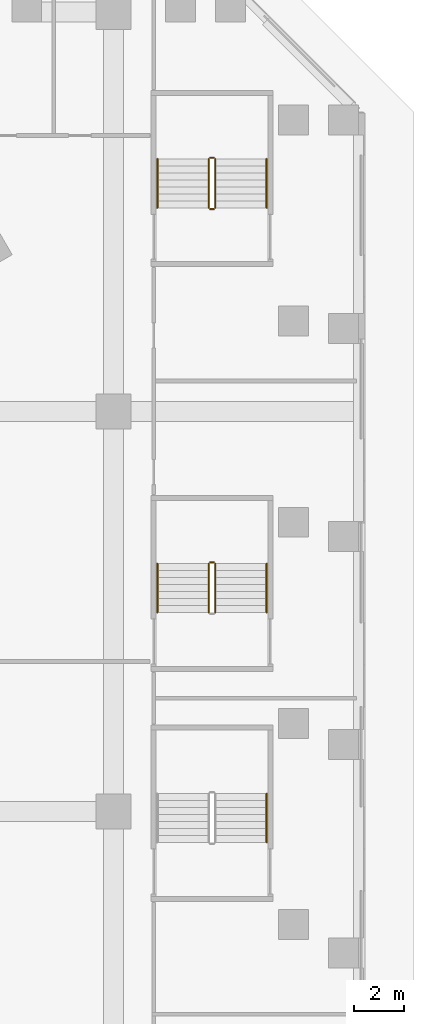
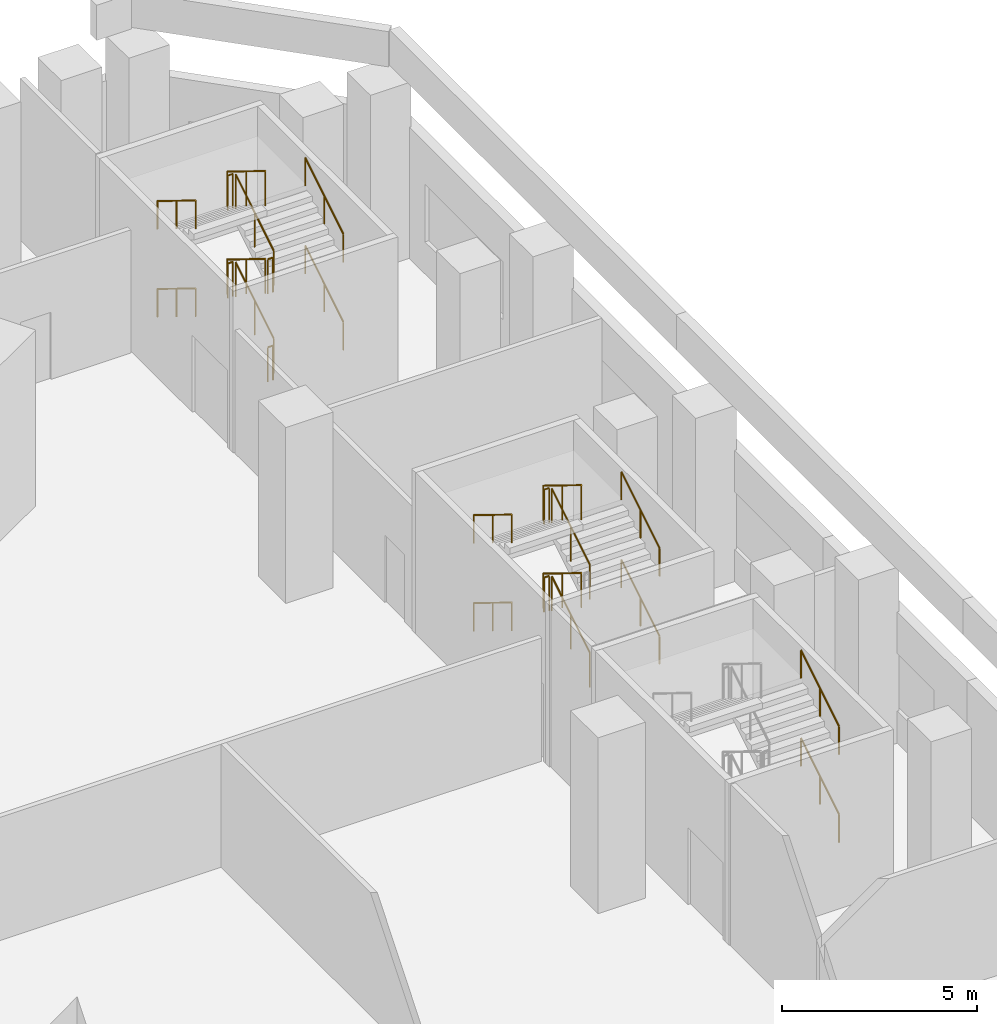
# One storey, part 22 of 22: 24 railings.
"""IFC4 building model written with IfcOpenShell, lengths in metres."""

import ifcopenshell
import ifcopenshell.guid

model = None  # the IFC model being written
_history = None  # IfcOwnerHistory: only IFC2X3 demands one
_inside = {}  # id of a spatial element -> (the spatial element, [elements in it])
_under = {}  # id of a project, library or spatial element -> (it, [spatial elements below it])
_declared = {}  # id of a project -> (the project, [libraries it declares])
_typed = {}  # id of a type object -> (the type object, [elements of that type])
_made_of = {}  # id of a material, layer set ... -> (it, [elements and type objects made of it])


def new_model(schema):
    """Start an empty IFC model of exactly this schema.

    Asked for "IFC4X3", IfcOpenShell would pick the latest addendum, in which some entities
    have other attributes; the version numbers below select the first issue.
    IFC2X3 requires an IfcOwnerHistory on every rooted entity: one is made here for all.
    """
    global model, _history
    if schema == "IFC4X3":
        model = ifcopenshell.file(schema_version=(4, 3, 0, 0))
    else:
        model = ifcopenshell.file(schema=schema)
    _inside.clear()
    _under.clear()
    _declared.clear()
    _typed.clear()
    _made_of.clear()
    _history = None
    if model.schema == "IFC2X3":
        org = make("IfcOrganization", Name="unknown")
        user = make(
            "IfcPersonAndOrganization",
            ThePerson=make("IfcPerson", FamilyName="unknown"),
            TheOrganization=org,
        )
        app = make(
            "IfcApplication",
            ApplicationDeveloper=org,
            Version="unknown",
            ApplicationFullName="unknown",
            ApplicationIdentifier="unknown",
        )
        _history = make(
            "IfcOwnerHistory",
            OwningUser=user,
            OwningApplication=app,
            ChangeAction="ADDED",
            CreationDate=0,
        )
    return model


def make(cls, **values):
    """One entity of the class cls with the attributes given. An attribute that is None is left unset."""
    return model.create_entity(
        cls, **{name: value for name, value in values.items() if value is not None}
    )


def rooted(cls, **values):
    """An entity with a GlobalId (a new one), such as an element, a storey or a relation."""
    return make(cls, GlobalId=ifcopenshell.guid.new(), OwnerHistory=_history, **values)


def si_unit(unit_type, name, prefix=None):
    """IfcSIUnit, for example si_unit("LENGTHUNIT", "METRE", prefix="MILLI")."""
    return make("IfcSIUnit", UnitType=unit_type, Prefix=prefix, Name=name)


def assignment(units):
    """IfcUnitAssignment: the units of a project."""
    return None if units is None else make("IfcUnitAssignment", Units=units)


def point(xyz):
    """IfcCartesianPoint."""
    return None if xyz is None else make("IfcCartesianPoint", Coordinates=xyz)


def direction(xyz):
    """IfcDirection."""
    return None if xyz is None else make("IfcDirection", DirectionRatios=xyz)


def frame(location, z_axis=None, x_axis=None):
    """IfcAxis2Placement3D, a coordinate frame: its origin and axes. An axis left out is left unset."""
    return make(
        "IfcAxis2Placement3D",
        Location=point(location),
        Axis=direction(z_axis),
        RefDirection=direction(x_axis),
    )


def frame_2d(location, x_axis=None):
    """IfcAxis2Placement2D, a coordinate frame in the plane: its origin and x axis."""
    return make(
        "IfcAxis2Placement2D", Location=point(location), RefDirection=direction(x_axis)
    )


def origin():
    """The frame at (0, 0, 0) with its axes left unset."""
    return frame((0.0, 0.0, 0.0))


def origin_2d():
    """The frame at (0, 0) in the plane with its x axis left unset."""
    return frame_2d((0.0, 0.0))


def place(relative_to, where):
    """IfcLocalPlacement: puts the frame where relative to a parent placement (None: the world)."""
    return make(
        "IfcLocalPlacement", PlacementRelTo=relative_to, RelativePlacement=where
    )


def context(
    kind, dimensions, precision=None, world=None, true_north=None, identifier=None
):
    """IfcGeometricRepresentationContext, for example the 3D "Model" context."""
    return make(
        "IfcGeometricRepresentationContext",
        ContextIdentifier=identifier,
        ContextType=kind,
        CoordinateSpaceDimension=dimensions,
        Precision=precision,
        WorldCoordinateSystem=world,
        TrueNorth=true_north,
    )


def subcontext(parent, identifier, kind, view, scale=None):
    """IfcGeometricRepresentationSubContext, for example "Body" below "Model"."""
    return make(
        "IfcGeometricRepresentationSubContext",
        ContextIdentifier=identifier,
        ContextType=kind,
        ParentContext=parent,
        TargetScale=scale,
        TargetView=view,
    )


def project(units=None, contexts=None):
    """IfcProject with its units and contexts."""
    return rooted(
        "IfcProject",
        Name="project",
        RepresentationContexts=contexts,
        UnitsInContext=assignment(units),
    )


def spatial(cls, under=None, at=None, **own):
    """A site, building, storey or space (cls), placed at a placement, below another one or the project."""
    s = rooted(cls, ObjectPlacement=at, **own)
    if under is not None:
        _under.setdefault(under.id(), (under, []))[1].append(s)
    return s


def profile(cls, at=None, kind="AREA", **sizes):
    """A parametric profile (cls). Its sizes go by their IFC names, for example OverallWidth=200.0."""
    return make(cls, ProfileType=kind, Position=at, **sizes)


def circle(**sizes):
    """IfcCircleProfileDef."""
    return profile("IfcCircleProfileDef", **sizes)


def extrude(swept, where, along, depth):
    """IfcExtrudedAreaSolid: the profile swept, set in the frame where, extruded along a direction by depth."""
    return make(
        "IfcExtrudedAreaSolid",
        SweptArea=swept,
        Position=where,
        ExtrudedDirection=direction(along),
        Depth=depth,
    )


def shape(context_of_items, identifier, shape_type, items):
    """IfcShapeRepresentation: the items that make up one representation, for example the "Body"."""
    return make(
        "IfcShapeRepresentation",
        ContextOfItems=context_of_items,
        RepresentationIdentifier=identifier,
        RepresentationType=shape_type,
        Items=items,
    )


def material(Name=None, Category=None):
    """IfcMaterial."""
    return make("IfcMaterial", Name=Name, Category=Category)


def made_of(thing, what):
    """Note that an element or type object is made of a material, layer set ...; save() writes the relation."""
    if what is not None:
        _made_of.setdefault(what.id(), (what, []))[1].append(thing)
    return thing


def type_object(cls, material=None, **own):
    """A type object (cls), such as IfcWallType, which elements share."""
    return made_of(rooted(cls, **own), material)


def element(
    cls,
    number,
    at=None,
    inside=None,
    cuts=None,
    type_object=None,
    material=None,
    context=None,
    identifier="Body",
    shape_type=None,
    held_by="IfcProductDefinitionShape",
    body=None,
    shapes=None,
    **own,
):
    """One element of the class cls, such as IfcWall. Its Tag is "e" and its number.

    at: its placement. inside: the storey or other place that contains it. cuts: it is an
    opening in that element (IfcRelVoidsElement). A single representation is given by context,
    identifier, shape_type and body (its items); several are given by shapes. held_by: the class
    of the entity that holds the representations. save() writes the other relations.
    """
    e = rooted(cls, Tag="e%d" % number, ObjectPlacement=at, **own)
    if body is not None:
        shapes = [shape(context, identifier, shape_type, body)]
    if shapes is not None:
        e.Representation = make(held_by, Representations=shapes)
    if inside is not None:
        _inside.setdefault(inside.id(), (inside, []))[1].append(e)
    if cuts is not None:
        rooted(
            "IfcRelVoidsElement", RelatingBuildingElement=cuts, RelatedOpeningElement=e
        )
    if type_object is not None:
        _typed.setdefault(type_object.id(), (type_object, []))[1].append(e)
    return made_of(e, material)


def aggregate(whole, parts):
    """IfcRelAggregates: a whole, such as a stair, and the parts it consists of."""
    return rooted("IfcRelAggregates", RelatingObject=whole, RelatedObjects=parts)


def save(model, path):
    """Write the relations noted so far, then the file.

    IfcRelAggregates (storeys below a building ...), IfcRelContainedInSpatialStructure (elements
    in a storey), IfcRelDefinesByType, IfcRelAssociatesMaterial and IfcRelDeclares: one each for
    every whole, place, type object, material and project.
    """
    for whole, parts in _under.values():
        aggregate(whole, parts)
    for where, things in _inside.values():
        rooted(
            "IfcRelContainedInSpatialStructure",
            RelatedElements=things,
            RelatingStructure=where,
        )
    for kind, things in _typed.values():
        rooted("IfcRelDefinesByType", RelatedObjects=things, RelatingType=kind)
    for what, things in _made_of.values():
        rooted("IfcRelAssociatesMaterial", RelatedObjects=things, RelatingMaterial=what)
    for by, libraries in _declared.values():
        rooted("IfcRelDeclares", RelatingContext=by, RelatedDefinitions=libraries)
    model.write(path)


model = new_model("IFC4")

# Units and contexts
model_context = context("Model", 3, precision=1e-05, world=origin(), true_north=direction((0.0, 1.0)))
body_context = subcontext(model_context, "Body", "Model", "MODEL_VIEW")
ifc_project = project(units=[si_unit("LENGTHUNIT", "METRE"), si_unit("AREAUNIT", "SQUARE_METRE"), si_unit("VOLUMEUNIT", "CUBIC_METRE"), si_unit("PLANEANGLEUNIT", "RADIAN"), si_unit("MASSUNIT", "GRAM", prefix="KILO")], contexts=[model_context])

# Site, building, storey
site_placement = place(None, origin())
site = spatial("IfcSite", under=ifc_project, at=site_placement, CompositionType="ELEMENT")
building_placement = place(site_placement, origin())
building = spatial("IfcBuilding", under=site, at=building_placement, Name="Calabash Gate Tower", CompositionType="ELEMENT")
storey_placement = place(building_placement, frame((0.0, 0.0, 34.5)))
storey = spatial("IfcBuildingStorey", under=building, at=storey_placement, Name="L04", CompositionType="ELEMENT", Elevation=34.5)

# Railings
ifc_material_1 = material(Name="Black powder-coated steel balusters", Category="steel")
railing_type_1 = type_object("IfcRailingType", Name="Stair guard RL1100", PredefinedType="GUARDRAIL", material=ifc_material_1)
railing_1_placement = place(storey_placement, frame((36.06005859375, -0.0400390625, 0.171875)))
element("IfcRailing", 1, at=railing_1_placement, inside=storey, type_object=railing_type_1, Name="L04 PS9 stair guard 1", PredefinedType="GUARDRAIL", context=body_context, shape_type="SweptSolid", body=[
    extrude(circle(Radius=0.02392578125, at=origin_2d()), frame((0.0, 0.0, 1.076171875), z_axis=(0.0, 0.851424364277, 0.524477408394), x_axis=(-1.0, 0.0, 0.0)), (0.0, 0.0, 1.0), 2.2939453125),
    extrude(circle(Radius=0.02099609375, at=origin_2d()), origin(), (0.0, 0.0, 1.0), 1.052001953125),
    extrude(circle(Radius=0.02099609375, at=origin_2d()), frame((0.0, 0.9765625, 0.6015625)), (0.0, 0.0, 1.0), 1.052001953125),
    extrude(circle(Radius=0.02099609375, at=origin_2d()), frame((0.0, 1.953125, 1.203125)), (0.0, 0.0, 1.0), 1.052001953125),
])
railing_2_placement = place(storey_placement, frame((36.010009765625, 1.962890625, 1.375)))
element("IfcRailing", 2, at=railing_2_placement, inside=storey, type_object=railing_type_1, Name="L04 PS9 stair guard 2", PredefinedType="GUARDRAIL", context=body_context, shape_type="SweptSolid", body=[
    extrude(circle(Radius=0.02392578125, at=origin_2d()), frame((0.0, 0.0, 1.076171875), z_axis=(-1.0, 0.0, 0.0), x_axis=(0.0, -1.0, 0.0)), (0.0, 0.0, 1.0), 0.14990234375),
    extrude(circle(Radius=0.02099609375, at=origin_2d()), origin(), (0.0, 0.0, 1.0), 1.052001953125),
    extrude(circle(Radius=0.02099609375, at=origin_2d()), frame((-0.14990234375, 0.0, 0.0)), (0.0, 0.0, 1.0), 1.052001953125),
])
railing_3_placement = place(storey_placement, frame((35.81005859375, 1.9130859375, 1.546875)))
element("IfcRailing", 3, at=railing_3_placement, inside=storey, type_object=railing_type_1, Name="L04 PS9 stair guard 3", PredefinedType="GUARDRAIL", context=body_context, shape_type="SweptSolid", body=[
    extrude(circle(Radius=0.02392578125, at=origin_2d()), frame((0.0, 0.0, 1.076171875), z_axis=(0.0, -0.851424364277, 0.524477408394), x_axis=(1.0, 0.0, 0.0)), (0.0, 0.0, 1.0), 2.2939453125),
    extrude(circle(Radius=0.02099609375, at=origin_2d()), origin(), (0.0, 0.0, 1.0), 1.052001953125),
    extrude(circle(Radius=0.02099609375, at=origin_2d()), frame((0.0, -0.9765625, 0.6015625)), (0.0, 0.0, 1.0), 1.052001953125),
    extrude(circle(Radius=0.02099609375, at=origin_2d()), frame((0.0, -1.953125, 1.203125)), (0.0, 0.0, 1.0), 1.052001953125),
])
railing_4_placement = place(storey_placement, frame((36.06005859375, -0.0400390625, 2.921875)))
element("IfcRailing", 4, at=railing_4_placement, inside=storey, type_object=railing_type_1, Name="L04 PS9 stair guard 5", PredefinedType="GUARDRAIL", context=body_context, shape_type="SweptSolid", body=[
    extrude(circle(Radius=0.02392578125, at=origin_2d()), frame((0.0, 0.0, 1.076171875), z_axis=(0.0, 0.851424364277, 0.524477408394), x_axis=(-1.0, 0.0, 0.0)), (0.0, 0.0, 1.0), 2.2939453125),
    extrude(circle(Radius=0.02099609375, at=origin_2d()), origin(), (0.0, 0.0, 1.0), 1.052001953125),
    extrude(circle(Radius=0.02099609375, at=origin_2d()), frame((0.0, 0.9765625, 0.6015625)), (0.0, 0.0, 1.0), 1.052001953125),
    extrude(circle(Radius=0.02099609375, at=origin_2d()), frame((0.0, 1.953125, 1.203125)), (0.0, 0.0, 1.0), 1.052001953125),
])
railing_5_placement = place(storey_placement, frame((36.010009765625, 1.962890625, 4.125)))
element("IfcRailing", 5, at=railing_5_placement, inside=storey, type_object=railing_type_1, Name="L04 PS9 stair guard 6", PredefinedType="GUARDRAIL", context=body_context, shape_type="SweptSolid", body=[
    extrude(circle(Radius=0.02392578125, at=origin_2d()), frame((0.0, 0.0, 1.076171875), z_axis=(-1.0, 0.0, 0.0), x_axis=(0.0, -1.0, 0.0)), (0.0, 0.0, 1.0), 0.14990234375),
    extrude(circle(Radius=0.02099609375, at=origin_2d()), origin(), (0.0, 0.0, 1.0), 1.052001953125),
    extrude(circle(Radius=0.02099609375, at=origin_2d()), frame((-0.14990234375, 0.0, 0.0)), (0.0, 0.0, 1.0), 1.052001953125),
])
railing_6_placement = place(storey_placement, frame((35.81005859375, 1.9130859375, 4.296875)))
element("IfcRailing", 6, at=railing_6_placement, inside=storey, type_object=railing_type_1, Name="L04 PS9 stair guard 7", PredefinedType="GUARDRAIL", context=body_context, shape_type="SweptSolid", body=[
    extrude(circle(Radius=0.02392578125, at=origin_2d()), frame((0.0, 0.0, 1.076171875), z_axis=(0.0, -0.851424364277, 0.524477408394), x_axis=(1.0, 0.0, 0.0)), (0.0, 0.0, 1.0), 2.2939453125),
    extrude(circle(Radius=0.02099609375, at=origin_2d()), origin(), (0.0, 0.0, 1.0), 1.052001953125),
    extrude(circle(Radius=0.02099609375, at=origin_2d()), frame((0.0, -0.9765625, 0.6015625)), (0.0, 0.0, 1.0), 1.052001953125),
    extrude(circle(Radius=0.02099609375, at=origin_2d()), frame((0.0, -1.953125, 1.203125)), (0.0, 0.0, 1.0), 1.052001953125),
])
railing_7_placement = place(storey_placement, frame((36.06005859375, 16.159912109375, 0.171875)))
element("IfcRailing", 7, at=railing_7_placement, inside=storey, type_object=railing_type_1, Name="L04 PS10 stair guard 1", PredefinedType="GUARDRAIL", context=body_context, shape_type="SweptSolid", body=[
    extrude(circle(Radius=0.02392578125, at=origin_2d()), frame((0.0, 0.0, 1.076171875), z_axis=(0.0, 0.851424364277, 0.524477408394), x_axis=(-1.0, 0.0, 0.0)), (0.0, 0.0, 1.0), 2.2939453125),
    extrude(circle(Radius=0.02099609375, at=origin_2d()), origin(), (0.0, 0.0, 1.0), 1.052001953125),
    extrude(circle(Radius=0.02099609375, at=origin_2d()), frame((0.0, 0.9765625, 0.6015625)), (0.0, 0.0, 1.0), 1.052001953125),
    extrude(circle(Radius=0.02099609375, at=origin_2d()), frame((0.0, 1.953125, 1.203125)), (0.0, 0.0, 1.0), 1.052001953125),
])
railing_8_placement = place(storey_placement, frame((36.010009765625, 18.1630859375, 1.375)))
element("IfcRailing", 8, at=railing_8_placement, inside=storey, type_object=railing_type_1, Name="L04 PS10 stair guard 2", PredefinedType="GUARDRAIL", context=body_context, shape_type="SweptSolid", body=[
    extrude(circle(Radius=0.02392578125, at=origin_2d()), frame((0.0, 0.0, 1.076171875), z_axis=(-1.0, 0.0, 0.0), x_axis=(0.0, -1.0, 0.0)), (0.0, 0.0, 1.0), 0.14990234375),
    extrude(circle(Radius=0.02099609375, at=origin_2d()), origin(), (0.0, 0.0, 1.0), 1.052001953125),
    extrude(circle(Radius=0.02099609375, at=origin_2d()), frame((-0.14990234375, 0.0, 0.0)), (0.0, 0.0, 1.0), 1.052001953125),
])
railing_9_placement = place(storey_placement, frame((35.81005859375, 18.113037109375, 1.546875)))
element("IfcRailing", 9, at=railing_9_placement, inside=storey, type_object=railing_type_1, Name="L04 PS10 stair guard 3", PredefinedType="GUARDRAIL", context=body_context, shape_type="SweptSolid", body=[
    extrude(circle(Radius=0.02392578125, at=origin_2d()), frame((0.0, 0.0, 1.076171875), z_axis=(0.0, -0.851424364277, 0.524477408394), x_axis=(1.0, 0.0, 0.0)), (0.0, 0.0, 1.0), 2.2939453125),
    extrude(circle(Radius=0.02099609375, at=origin_2d()), origin(), (0.0, 0.0, 1.0), 1.052001953125),
    extrude(circle(Radius=0.02099609375, at=origin_2d()), frame((0.0, -0.9765625, 0.6015625)), (0.0, 0.0, 1.0), 1.052001953125),
    extrude(circle(Radius=0.02099609375, at=origin_2d()), frame((0.0, -1.953125, 1.203125)), (0.0, 0.0, 1.0), 1.052001953125),
])
railing_10_placement = place(storey_placement, frame((36.010009765625, 16.110107421875, 2.75)))
element("IfcRailing", 10, at=railing_10_placement, inside=storey, type_object=railing_type_1, Name="L04 PS10 stair guard 4", PredefinedType="GUARDRAIL", context=body_context, shape_type="SweptSolid", body=[
    extrude(circle(Radius=0.02392578125, at=origin_2d()), frame((0.0, 0.0, 1.076171875), z_axis=(-1.0, 0.0, 0.0), x_axis=(0.0, -1.0, 0.0)), (0.0, 0.0, 1.0), 0.14990234375),
    extrude(circle(Radius=0.02099609375, at=origin_2d()), origin(), (0.0, 0.0, 1.0), 1.052001953125),
    extrude(circle(Radius=0.02099609375, at=origin_2d()), frame((-0.14990234375, 0.0, 0.0)), (0.0, 0.0, 1.0), 1.052001953125),
])
railing_11_placement = place(storey_placement, frame((36.06005859375, 16.159912109375, 2.921875)))
element("IfcRailing", 11, at=railing_11_placement, inside=storey, type_object=railing_type_1, Name="L04 PS10 stair guard 5", PredefinedType="GUARDRAIL", context=body_context, shape_type="SweptSolid", body=[
    extrude(circle(Radius=0.02392578125, at=origin_2d()), frame((0.0, 0.0, 1.076171875), z_axis=(0.0, 0.851424364277, 0.524477408394), x_axis=(-1.0, 0.0, 0.0)), (0.0, 0.0, 1.0), 2.2939453125),
    extrude(circle(Radius=0.02099609375, at=origin_2d()), origin(), (0.0, 0.0, 1.0), 1.052001953125),
    extrude(circle(Radius=0.02099609375, at=origin_2d()), frame((0.0, 0.9765625, 0.6015625)), (0.0, 0.0, 1.0), 1.052001953125),
    extrude(circle(Radius=0.02099609375, at=origin_2d()), frame((0.0, 1.953125, 1.203125)), (0.0, 0.0, 1.0), 1.052001953125),
])
railing_12_placement = place(storey_placement, frame((36.010009765625, 18.1630859375, 4.125)))
element("IfcRailing", 12, at=railing_12_placement, inside=storey, type_object=railing_type_1, Name="L04 PS10 stair guard 6", PredefinedType="GUARDRAIL", context=body_context, shape_type="SweptSolid", body=[
    extrude(circle(Radius=0.02392578125, at=origin_2d()), frame((0.0, 0.0, 1.076171875), z_axis=(-1.0, 0.0, 0.0), x_axis=(0.0, -1.0, 0.0)), (0.0, 0.0, 1.0), 0.14990234375),
    extrude(circle(Radius=0.02099609375, at=origin_2d()), origin(), (0.0, 0.0, 1.0), 1.052001953125),
    extrude(circle(Radius=0.02099609375, at=origin_2d()), frame((-0.14990234375, 0.0, 0.0)), (0.0, 0.0, 1.0), 1.052001953125),
])
railing_13_placement = place(storey_placement, frame((35.81005859375, 18.113037109375, 4.296875)))
element("IfcRailing", 13, at=railing_13_placement, inside=storey, type_object=railing_type_1, Name="L04 PS10 stair guard 7", PredefinedType="GUARDRAIL", context=body_context, shape_type="SweptSolid", body=[
    extrude(circle(Radius=0.02392578125, at=origin_2d()), frame((0.0, 0.0, 1.076171875), z_axis=(0.0, -0.851424364277, 0.524477408394), x_axis=(1.0, 0.0, 0.0)), (0.0, 0.0, 1.0), 2.2939453125),
    extrude(circle(Radius=0.02099609375, at=origin_2d()), origin(), (0.0, 0.0, 1.0), 1.052001953125),
    extrude(circle(Radius=0.02099609375, at=origin_2d()), frame((0.0, -0.9765625, 0.6015625)), (0.0, 0.0, 1.0), 1.052001953125),
    extrude(circle(Radius=0.02099609375, at=origin_2d()), frame((0.0, -1.953125, 1.203125)), (0.0, 0.0, 1.0), 1.052001953125),
])
railing_14_placement = place(storey_placement, frame((36.010009765625, 16.110107421875, 0.0)))
element("IfcRailing", 14, at=railing_14_placement, inside=storey, type_object=railing_type_1, Name="L04 PS10 stair guard 8", PredefinedType="GUARDRAIL", context=body_context, shape_type="SweptSolid", body=[
    extrude(circle(Radius=0.02392578125, at=origin_2d()), frame((0.0, 0.0, 1.076171875), z_axis=(-1.0, 0.0, 0.0), x_axis=(0.0, -1.0, 0.0)), (0.0, 0.0, 1.0), 0.14990234375),
    extrude(circle(Radius=0.02099609375, at=origin_2d()), origin(), (0.0, 0.0, 1.0), 1.052001953125),
    extrude(circle(Radius=0.02099609375, at=origin_2d()), frame((-0.14990234375, 0.0, 0.0)), (0.0, 0.0, 1.0), 1.052001953125),
])
ifc_material_2 = material(Name="Black powder-coated steel tube 48 mm", Category="steel")
railing_type_2 = type_object("IfcRailingType", Name="Stair handrail RL900", PredefinedType="HANDRAIL", material=ifc_material_2)
for number, where, name in (
    (15, (38.1201171875, -9.239990234375, 0.171875), "L04 PS8 stair handrail 1"),
    (16, (38.1201171875, -9.239990234375, 2.921875), "L04 PS8 stair handrail 3"),
):
    element("IfcRailing", number, at=place(storey_placement, frame(where)), inside=storey, type_object=railing_type_2, Name=name, PredefinedType="HANDRAIL", context=body_context, shape_type="SweptSolid", body=[
        extrude(circle(Radius=0.02392578125, at=origin_2d()), frame((0.0, 0.0, 0.8759765625), z_axis=(0.0, 0.851395084437, 0.52452493763), x_axis=(-1.0, 0.0, 0.0)), (0.0, 0.0, 1.0), 2.293701171875),
        extrude(circle(Radius=0.02099609375, at=origin_2d()), origin(), (0.0, 0.0, 1.0), 0.851806640625),
        extrude(circle(Radius=0.02099609375, at=origin_2d()), frame((0.0, 0.9765625, 0.6015625)), (0.0, 0.0, 1.0), 0.851806640625),
        extrude(circle(Radius=0.02099609375, at=origin_2d()), frame((0.0, 1.952880859375, 1.203125)), (0.0, 0.0, 1.0), 0.851806640625),
    ])
railing_15_placement = place(storey_placement, frame((38.1201171875, -0.0400390625, 0.171875)))
element("IfcRailing", 17, at=railing_15_placement, inside=storey, type_object=railing_type_2, Name="L04 PS9 stair handrail 1", PredefinedType="HANDRAIL", context=body_context, shape_type="SweptSolid", body=[
    extrude(circle(Radius=0.02392578125, at=origin_2d()), frame((0.0, 0.0, 0.8759765625), z_axis=(0.0, 0.851424364277, 0.524477408394), x_axis=(-1.0, 0.0, 0.0)), (0.0, 0.0, 1.0), 2.2939453125),
    extrude(circle(Radius=0.02099609375, at=origin_2d()), origin(), (0.0, 0.0, 1.0), 0.851806640625),
    extrude(circle(Radius=0.02099609375, at=origin_2d()), frame((0.0, 0.9765625, 0.6015625)), (0.0, 0.0, 1.0), 0.851806640625),
    extrude(circle(Radius=0.02099609375, at=origin_2d()), frame((0.0, 1.953125, 1.203125)), (0.0, 0.0, 1.0), 0.851806640625),
])
railing_16_placement = place(storey_placement, frame((33.75, 1.9130859375, 1.546875)))
element("IfcRailing", 18, at=railing_16_placement, inside=storey, type_object=railing_type_2, Name="L04 PS9 stair handrail 2", PredefinedType="HANDRAIL", context=body_context, shape_type="SweptSolid", body=[
    extrude(circle(Radius=0.02392578125, at=origin_2d()), frame((0.0, 0.0, 0.8759765625), z_axis=(0.0, -0.851424364277, 0.524477408394), x_axis=(1.0, 0.0, 0.0)), (0.0, 0.0, 1.0), 2.2939453125),
    extrude(circle(Radius=0.02099609375, at=origin_2d()), origin(), (0.0, 0.0, 1.0), 0.851806640625),
    extrude(circle(Radius=0.02099609375, at=origin_2d()), frame((0.0, -0.9765625, 0.6015625)), (0.0, 0.0, 1.0), 0.851806640625),
    extrude(circle(Radius=0.02099609375, at=origin_2d()), frame((0.0, -1.953125, 1.203125)), (0.0, 0.0, 1.0), 0.851806640625),
])
railing_17_placement = place(storey_placement, frame((38.1201171875, -0.0400390625, 2.921875)))
element("IfcRailing", 19, at=railing_17_placement, inside=storey, type_object=railing_type_2, Name="L04 PS9 stair handrail 3", PredefinedType="HANDRAIL", context=body_context, shape_type="SweptSolid", body=[
    extrude(circle(Radius=0.02392578125, at=origin_2d()), frame((0.0, 0.0, 0.8759765625), z_axis=(0.0, 0.851424364277, 0.524477408394), x_axis=(-1.0, 0.0, 0.0)), (0.0, 0.0, 1.0), 2.2939453125),
    extrude(circle(Radius=0.02099609375, at=origin_2d()), origin(), (0.0, 0.0, 1.0), 0.851806640625),
    extrude(circle(Radius=0.02099609375, at=origin_2d()), frame((0.0, 0.9765625, 0.6015625)), (0.0, 0.0, 1.0), 0.851806640625),
    extrude(circle(Radius=0.02099609375, at=origin_2d()), frame((0.0, 1.953125, 1.203125)), (0.0, 0.0, 1.0), 0.851806640625),
])
railing_18_placement = place(storey_placement, frame((33.75, 1.9130859375, 4.296875)))
element("IfcRailing", 20, at=railing_18_placement, inside=storey, type_object=railing_type_2, Name="L04 PS9 stair handrail 4", PredefinedType="HANDRAIL", context=body_context, shape_type="SweptSolid", body=[
    extrude(circle(Radius=0.02392578125, at=origin_2d()), frame((0.0, 0.0, 0.8759765625), z_axis=(0.0, -0.851424364277, 0.524477408394), x_axis=(1.0, 0.0, 0.0)), (0.0, 0.0, 1.0), 2.2939453125),
    extrude(circle(Radius=0.02099609375, at=origin_2d()), origin(), (0.0, 0.0, 1.0), 0.851806640625),
    extrude(circle(Radius=0.02099609375, at=origin_2d()), frame((0.0, -0.9765625, 0.6015625)), (0.0, 0.0, 1.0), 0.851806640625),
    extrude(circle(Radius=0.02099609375, at=origin_2d()), frame((0.0, -1.953125, 1.203125)), (0.0, 0.0, 1.0), 0.851806640625),
])
railing_19_placement = place(storey_placement, frame((38.1201171875, 16.159912109375, 0.171875)))
element("IfcRailing", 21, at=railing_19_placement, inside=storey, type_object=railing_type_2, Name="L04 PS10 stair handrail 1", PredefinedType="HANDRAIL", context=body_context, shape_type="SweptSolid", body=[
    extrude(circle(Radius=0.02392578125, at=origin_2d()), frame((0.0, 0.0, 0.8759765625), z_axis=(0.0, 0.851424364277, 0.524477408394), x_axis=(-1.0, 0.0, 0.0)), (0.0, 0.0, 1.0), 2.2939453125),
    extrude(circle(Radius=0.02099609375, at=origin_2d()), origin(), (0.0, 0.0, 1.0), 0.851806640625),
    extrude(circle(Radius=0.02099609375, at=origin_2d()), frame((0.0, 0.9765625, 0.6015625)), (0.0, 0.0, 1.0), 0.851806640625),
    extrude(circle(Radius=0.02099609375, at=origin_2d()), frame((0.0, 1.953125, 1.203125)), (0.0, 0.0, 1.0), 0.851806640625),
])
railing_20_placement = place(storey_placement, frame((33.75, 18.113037109375, 1.546875)))
element("IfcRailing", 22, at=railing_20_placement, inside=storey, type_object=railing_type_2, Name="L04 PS10 stair handrail 2", PredefinedType="HANDRAIL", context=body_context, shape_type="SweptSolid", body=[
    extrude(circle(Radius=0.02392578125, at=origin_2d()), frame((0.0, 0.0, 0.8759765625), z_axis=(0.0, -0.851424364277, 0.524477408394), x_axis=(1.0, 0.0, 0.0)), (0.0, 0.0, 1.0), 2.2939453125),
    extrude(circle(Radius=0.02099609375, at=origin_2d()), origin(), (0.0, 0.0, 1.0), 0.851806640625),
    extrude(circle(Radius=0.02099609375, at=origin_2d()), frame((0.0, -0.9765625, 0.6015625)), (0.0, 0.0, 1.0), 0.851806640625),
    extrude(circle(Radius=0.02099609375, at=origin_2d()), frame((0.0, -1.953125, 1.203125)), (0.0, 0.0, 1.0), 0.851806640625),
])
railing_21_placement = place(storey_placement, frame((38.1201171875, 16.159912109375, 2.921875)))
element("IfcRailing", 23, at=railing_21_placement, inside=storey, type_object=railing_type_2, Name="L04 PS10 stair handrail 3", PredefinedType="HANDRAIL", context=body_context, shape_type="SweptSolid", body=[
    extrude(circle(Radius=0.02392578125, at=origin_2d()), frame((0.0, 0.0, 0.8759765625), z_axis=(0.0, 0.851424364277, 0.524477408394), x_axis=(-1.0, 0.0, 0.0)), (0.0, 0.0, 1.0), 2.2939453125),
    extrude(circle(Radius=0.02099609375, at=origin_2d()), origin(), (0.0, 0.0, 1.0), 0.851806640625),
    extrude(circle(Radius=0.02099609375, at=origin_2d()), frame((0.0, 0.9765625, 0.6015625)), (0.0, 0.0, 1.0), 0.851806640625),
    extrude(circle(Radius=0.02099609375, at=origin_2d()), frame((0.0, 1.953125, 1.203125)), (0.0, 0.0, 1.0), 0.851806640625),
])
railing_22_placement = place(storey_placement, frame((33.75, 18.113037109375, 4.296875)))
element("IfcRailing", 24, at=railing_22_placement, inside=storey, type_object=railing_type_2, Name="L04 PS10 stair handrail 4", PredefinedType="HANDRAIL", context=body_context, shape_type="SweptSolid", body=[
    extrude(circle(Radius=0.02392578125, at=origin_2d()), frame((0.0, 0.0, 0.8759765625), z_axis=(0.0, -0.851424364277, 0.524477408394), x_axis=(1.0, 0.0, 0.0)), (0.0, 0.0, 1.0), 2.2939453125),
    extrude(circle(Radius=0.02099609375, at=origin_2d()), origin(), (0.0, 0.0, 1.0), 0.851806640625),
    extrude(circle(Radius=0.02099609375, at=origin_2d()), frame((0.0, -0.9765625, 0.6015625)), (0.0, 0.0, 1.0), 0.851806640625),
    extrude(circle(Radius=0.02099609375, at=origin_2d()), frame((0.0, -1.953125, 1.203125)), (0.0, 0.0, 1.0), 0.851806640625),
])

save(model, "model.ifc")
